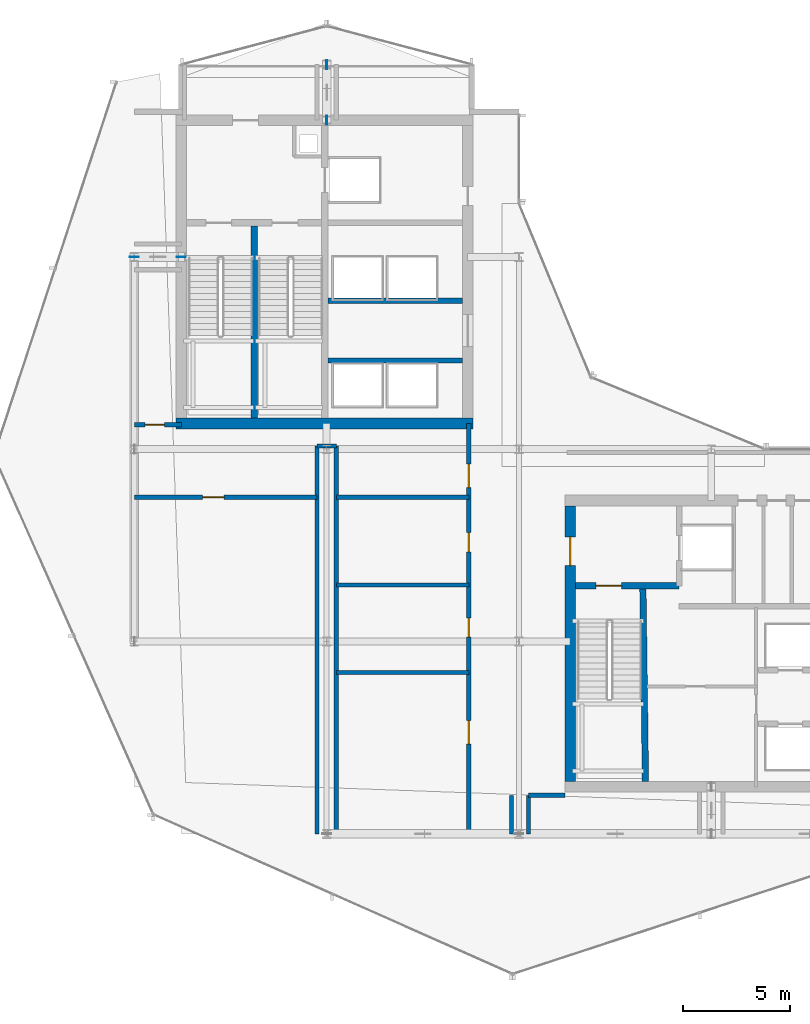
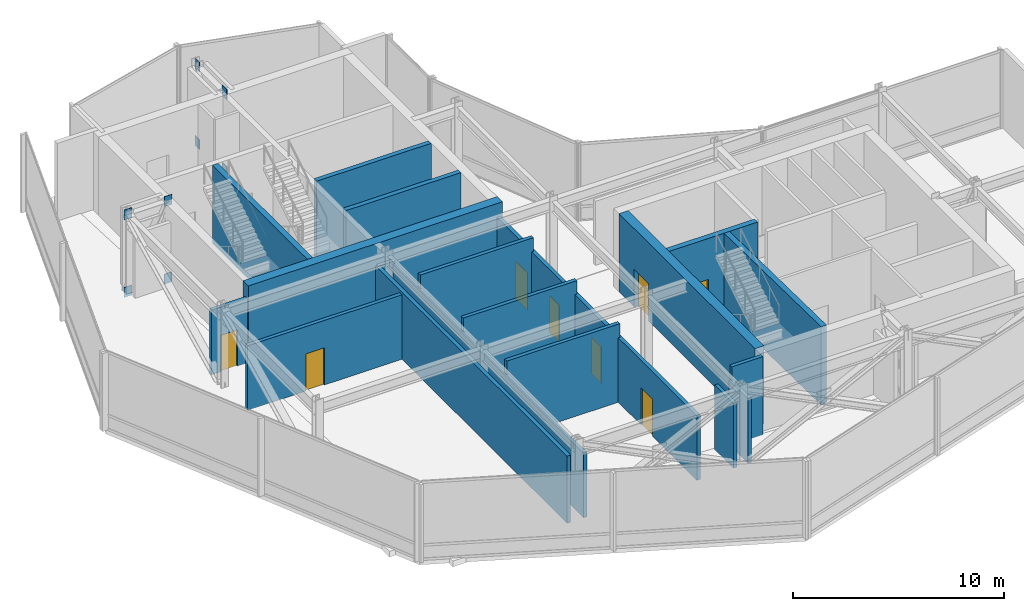
# One storey, part 22 of 30: 19 walls, 8 doors, 8 plates, 8 openings.
"""IFC4 building model written with IfcOpenShell, lengths in metres."""

from ifc_helpers import new_model, si_unit, direction, frame, frame_2d, origin, origin_2d, place, context, subcontext, project, spatial, rectangle, extrude, material, layer, layer_set, type_object, element, fill, save


model = new_model("IFC4")

# Units and contexts
model_context = context("Model", 3, precision=1e-05, world=origin(), true_north=direction((0.0, 1.0)))
body_context = subcontext(model_context, "Body", "Model", "MODEL_VIEW")
ifc_project = project(units=[si_unit("LENGTHUNIT", "METRE"), si_unit("AREAUNIT", "SQUARE_METRE"), si_unit("VOLUMEUNIT", "CUBIC_METRE"), si_unit("PLANEANGLEUNIT", "RADIAN"), si_unit("MASSUNIT", "GRAM", prefix="KILO")], contexts=[model_context])

# Site, building, storey
site_placement = place(None, origin())
site = spatial("IfcSite", under=ifc_project, at=site_placement, CompositionType="ELEMENT")
building_placement = place(site_placement, origin())
building = spatial("IfcBuilding", under=site, at=building_placement, Name="Solvaryn Broadcast Tower", CompositionType="ELEMENT")
storey_placement = place(building_placement, frame((0.0, 0.0, 196.39990234375)))
storey = spatial("IfcBuildingStorey", under=building, at=storey_placement, Name="L49", CompositionType="ELEMENT", Elevation=196.39990234375)

# Plates
ifc_material_1 = material(Name="Steel ASTM A572 Grade 50", Category="steel")
ifc_layer_1 = layer(ifc_material_1, 0.031982421875)
ifc_layer_set_1 = layer_set([ifc_layer_1], Name="PL-ENDCAP-32")
plate_type = type_object("IfcPlateType", Name="PL-ENDCAP-32", PredefinedType="USERDEFINED", material=ifc_layer_set_1)
for number, where, z_axis, x_axis, name in (
    (1, (11.199951171875, 36.0, -0.27001953125), (0.0, 0.0, 1.0), (1.0, 0.0, 0.0), "L49 Outrigger X-Brace W Continuous Diagonal End Plate A"),
    (2, (9.0, 36.0, 4.2099609375), (0.0, 0.0, 1.0), (1.0, 0.0, 0.0), "L49 Outrigger X-Brace W Continuous Diagonal End Plate B"),
    (3, (11.199951171875, 36.0, 4.2099609375), (0.0, 0.0, 1.0), (1.0, 0.0, 0.0), "L49 Outrigger X-Brace W End Plate 2A"),
    (4, (9.0, 36.0, -0.27001953125), (0.0, 0.0, 1.0), (1.0, 0.0, 0.0), "L49 Outrigger X-Brace W End Plate 2B"),
):
    element("IfcPlate", number, at=place(storey_placement, frame(where, z_axis=z_axis, x_axis=x_axis)), inside=storey, type_object=plate_type, Name=name, ObjectType="FLANGE_PLATE", PredefinedType="USERDEFINED", context=body_context, shape_type="SweptSolid", body=[
        extrude(rectangle(XDim=0.419921875, YDim=0.031982421875, at=origin_2d()), origin(), (0.0, 0.0, 1.0), 0.580078125),
    ])
for number, where, z_axis, x_axis, name in (
    (5, (18.0, 42.39990234375, -0.27001953125), (0.0, 0.0, 1.0), (1.0, 0.0, 0.0), "L49 Outrigger X-Brace N Continuous Diagonal End Plate A"),
    (6, (18.0, 45.0, 4.2099609375), (0.0, 0.0, 1.0), (1.0, 0.0, 0.0), "L49 Outrigger X-Brace N Continuous Diagonal End Plate B"),
    (7, (18.0, 42.39990234375, 4.2099609375), (0.0, 0.0, 1.0), (1.0, 0.0, 0.0), "L49 Outrigger X-Brace N End Plate 2A"),
    (8, (18.0, 45.0, -0.27001953125), (0.0, 0.0, 1.0), (1.0, 0.0, 0.0), "L49 Outrigger X-Brace N End Plate 2B"),
):
    element("IfcPlate", number, at=place(storey_placement, frame(where, z_axis=z_axis, x_axis=x_axis)), inside=storey, type_object=plate_type, Name=name, ObjectType="FLANGE_PLATE", PredefinedType="USERDEFINED", context=body_context, shape_type="SweptSolid", body=[
        extrude(rectangle(XDim=0.031982421875, YDim=0.419921875, at=origin_2d()), origin(), (0.0, 0.0, 1.0), 0.580078125),
    ])

# Wall
ifc_material_2 = material(Name="Concrete f'c 70 MPa", Category="concrete")
ifc_layer_2 = layer(ifc_material_2, 0.5)
ifc_layer_set_2 = layer_set([ifc_layer_2], Name="CW-SHEAR-500")
wall_type_1 = type_object("IfcWallType", Name="CW-SHEAR-500", PredefinedType="SHEAR", material=ifc_layer_set_2)
wall_1_placement = place(storey_placement, frame((10.949951171875, 28.199951171875, 0.0), z_axis=(0.0, 0.0, 1.0), x_axis=(1.0, 0.0, 0.0)))
element("IfcWall", 9, at=wall_1_placement, inside=storey, type_object=wall_type_1, Name="L49 West Core South Shear Wall", PredefinedType="SHEAR", context=body_context, shape_type="SweptSolid", body=[
    extrude(rectangle(XDim=13.900146484375, YDim=0.5, at=frame_2d((6.9501953125, 0.0))), origin(), (0.0, 0.0, 1.0), 4.52001953125),
])

# Wall, opening, door
wall_2_placement = place(storey_placement, frame((29.39990234375, 24.35009765625, 0.0), z_axis=(0.0, 0.0, 1.0), x_axis=(0.0, -1.0, 0.0)))
wall_2 = element("IfcWall", 10, at=wall_2_placement, inside=storey, type_object=wall_type_1, Name="L49 East Core West Shear Wall", PredefinedType="SHEAR", context=body_context, shape_type="SweptSolid", body=[
    extrude(rectangle(XDim=12.900146484375, YDim=0.5, at=frame_2d((6.4501953125, 0.0))), origin(), (0.0, 0.0, 1.0), 4.52001953125),
])
opening_1_placement = place(wall_2_placement, frame((1.449951171875, 0.0, 0.0)))
opening_1 = element("IfcOpeningElement", 11, at=opening_1_placement, cuts=wall_2, Name="Opening FD90B", PredefinedType="OPENING", context=body_context, shape_type="SweptSolid", body=[
    extrude(rectangle(XDim=1.35009765625, YDim=2.14990234375, at=frame_2d((0.675048828125, 1.074951171875))), frame((0.0, 0.260009765625, 0.0), z_axis=(0.0, -1.0, 0.0), x_axis=(1.0, 0.0, 0.0)), (0.0, 0.0, 1.0), 0.52001953125),
])
ifc_material_3 = material(Name="Flush Acoustic Steel and Timber Door Assembly", Category="steel")
door_type_1 = type_object("IfcDoorType", Name="FD90-LOBBY-1350X2150", OperationType="NOTDEFINED", PredefinedType="DOOR", material=ifc_material_3)
door_1_placement = place(opening_1_placement, origin())
door_1 = element("IfcDoor", 12, at=door_1_placement, inside=storey, type_object=door_type_1, Name="L49 East FSAE Lobby Door", OperationType="SINGLE_SWING_RIGHT", OverallHeight=2.14990234375, OverallWidth=1.35009765625, PredefinedType="DOOR", context=body_context, shape_type="SweptSolid", body=[
    extrude(rectangle(XDim=1.35009765625, YDim=2.14990234375, at=frame_2d((0.675048828125, 1.074951171875))), frame((0.0, 0.02490234375, 0.0), z_axis=(0.0, -1.0, 0.0), x_axis=(1.0, 0.0, 0.0)), (0.0, 0.0, 1.0), 0.050048828125),
])
fill(opening_1, door_1)

# Wall, openings, doors
ifc_material_4 = material(Name="Gypsum Fire-Rated Shaftwall Assembly", Category="concrete")
ifc_layer_3 = layer(ifc_material_4, 0.199951171875)
ifc_layer_set_3 = layer_set([ifc_layer_3], Name="IW-RATED-200")
wall_type_2 = type_object("IfcWallType", Name="IW-RATED-200", PredefinedType="PARTITIONING", material=ifc_layer_set_3)
wall_3_placement = place(storey_placement, frame((24.64990234375, 9.0, 0.0), z_axis=(0.0, 0.0, 1.0), x_axis=(0.0, 1.0, 0.0)))
wall_3 = element("IfcWall", 13, at=wall_3_placement, inside=storey, type_object=wall_type_2, Name="L49 Interior Partition IW-L49-MW1", PredefinedType="PARTITIONING", context=body_context, shape_type="SweptSolid", body=[
    extrude(rectangle(XDim=19.199951171875, YDim=0.199951171875, at=frame_2d((9.60009765625, 0.0))), origin(), (0.0, 0.0, 1.0), 3.734130859375),
])
opening_2_placement = place(wall_3_placement, frame((4.199951171875, 0.0, 0.0)))
opening_2 = element("IfcOpeningElement", 14, at=opening_2_placement, cuts=wall_3, Name="Opening FD90C", PredefinedType="OPENING", context=body_context, shape_type="SweptSolid", body=[
    extrude(rectangle(XDim=1.10009765625, YDim=2.14990234375, at=frame_2d((0.550048828125, 1.074951171875))), frame((0.0, 0.110107421875, 0.0), z_axis=(0.0, -1.0, 0.0), x_axis=(1.0, 0.0, 0.0)), (0.0, 0.0, 1.0), 0.219970703125),
])
opening_3_placement = place(wall_3_placement, frame((16.199951171875, 0.0, 0.0)))
opening_3 = element("IfcOpeningElement", 15, at=opening_3_placement, cuts=wall_3, Name="Opening FD90C", PredefinedType="OPENING", context=body_context, shape_type="SweptSolid", body=[
    extrude(rectangle(XDim=1.10009765625, YDim=2.14990234375, at=frame_2d((0.550048828125, 1.074951171875))), frame((0.0, 0.110107421875, 0.0), z_axis=(0.0, -1.0, 0.0), x_axis=(1.0, 0.0, 0.0)), (0.0, 0.0, 1.0), 0.219970703125),
])
opening_4_placement = place(wall_3_placement, frame((9.199951171875, 0.0, 0.0)))
opening_4 = element("IfcOpeningElement", 16, at=opening_4_placement, cuts=wall_3, Name="Opening FD60C", PredefinedType="OPENING", context=body_context, shape_type="SweptSolid", body=[
    extrude(rectangle(XDim=0.89990234375, YDim=2.10009765625, at=frame_2d((0.449951171875, 1.050048828125))), frame((0.0, 0.110107421875, 0.0), z_axis=(0.0, -1.0, 0.0), x_axis=(1.0, 0.0, 0.0)), (0.0, 0.0, 1.0), 0.219970703125),
])
opening_5_placement = place(wall_3_placement, frame((13.199951171875, 0.0, 0.0)))
opening_5 = element("IfcOpeningElement", 17, at=opening_5_placement, cuts=wall_3, Name="Opening FD60C", PredefinedType="OPENING", context=body_context, shape_type="SweptSolid", body=[
    extrude(rectangle(XDim=0.89990234375, YDim=2.10009765625, at=frame_2d((0.449951171875, 1.050048828125))), frame((0.0, 0.110107421875, 0.0), z_axis=(0.0, -1.0, 0.0), x_axis=(1.0, 0.0, 0.0)), (0.0, 0.0, 1.0), 0.219970703125),
])
ifc_material_5 = material(Name="Flush Acoustic Steel and Timber Door Assembly", Category="steel")
door_type_2 = type_object("IfcDoorType", Name="FD60-SERV-900X2100", OperationType="NOTDEFINED", PredefinedType="DOOR", material=ifc_material_5)
door_2_placement = place(opening_4_placement, origin())
door_2 = element("IfcDoor", 18, at=door_2_placement, inside=storey, type_object=door_type_2, Name="L49 Door DR-L49-MD3A", OperationType="SINGLE_SWING_RIGHT", OverallHeight=2.10009765625, OverallWidth=0.89990234375, PredefinedType="DOOR", context=body_context, shape_type="SweptSolid", body=[
    extrude(rectangle(XDim=0.89990234375, YDim=2.10009765625, at=frame_2d((0.449951171875, 1.050048828125))), frame((0.0, 0.02490234375, 0.0), z_axis=(0.0, -1.0, 0.0), x_axis=(1.0, 0.0, 0.0)), (0.0, 0.0, 1.0), 0.050048828125),
])
fill(opening_4, door_2)
door_3_placement = place(opening_5_placement, origin())
door_3 = element("IfcDoor", 19, at=door_3_placement, inside=storey, type_object=door_type_2, Name="L49 Door DR-L49-MD3B", OperationType="SINGLE_SWING_LEFT", OverallHeight=2.10009765625, OverallWidth=0.89990234375, PredefinedType="DOOR", context=body_context, shape_type="SweptSolid", body=[
    extrude(rectangle(XDim=0.89990234375, YDim=2.10009765625, at=frame_2d((0.449951171875, 1.050048828125))), frame((0.0, 0.02490234375, 0.0), z_axis=(0.0, -1.0, 0.0), x_axis=(1.0, 0.0, 0.0)), (0.0, 0.0, 1.0), 0.050048828125),
])
fill(opening_5, door_3)
ifc_material_6 = material(Name="Flush Acoustic Steel and Timber Door Assembly", Category="steel")
door_type_3 = type_object("IfcDoorType", Name="FD90-PLANT-1100X2150", OperationType="NOTDEFINED", PredefinedType="DOOR", material=ifc_material_6)
door_4_placement = place(opening_2_placement, origin())
door_4 = element("IfcDoor", 20, at=door_4_placement, inside=storey, type_object=door_type_3, Name="L49 Door DR-L49-MD1", OperationType="SINGLE_SWING_RIGHT", OverallHeight=2.14990234375, OverallWidth=1.10009765625, PredefinedType="DOOR", context=body_context, shape_type="SweptSolid", body=[
    extrude(rectangle(XDim=1.10009765625, YDim=2.14990234375, at=frame_2d((0.550048828125, 1.074951171875))), frame((0.0, 0.02490234375, 0.0), z_axis=(0.0, -1.0, 0.0), x_axis=(1.0, 0.0, 0.0)), (0.0, 0.0, 1.0), 0.050048828125),
])
fill(opening_2, door_4)
door_5_placement = place(opening_3_placement, origin())
door_5 = element("IfcDoor", 21, at=door_5_placement, inside=storey, type_object=door_type_3, Name="L49 Door DR-L49-MD2", OperationType="SINGLE_SWING_RIGHT", OverallHeight=2.14990234375, OverallWidth=1.10009765625, PredefinedType="DOOR", context=body_context, shape_type="SweptSolid", body=[
    extrude(rectangle(XDim=1.10009765625, YDim=2.14990234375, at=frame_2d((0.550048828125, 1.074951171875))), frame((0.0, 0.02490234375, 0.0), z_axis=(0.0, -1.0, 0.0), x_axis=(1.0, 0.0, 0.0)), (0.0, 0.0, 1.0), 0.050048828125),
])
fill(opening_3, door_5)

# Walls
wall_4_placement = place(storey_placement, frame((17.550048828125, 9.0, 0.0), z_axis=(0.0, 0.0, 1.0), x_axis=(0.0, 1.0, 0.0)))
element("IfcWall", 22, at=wall_4_placement, inside=storey, type_object=wall_type_2, Name="L49 Interior Partition IW-L49-MW1A", PredefinedType="PARTITIONING", context=body_context, shape_type="SweptSolid", body=[
    extrude(rectangle(XDim=18.14990234375, YDim=0.199951171875, at=frame_2d((9.074951171875, 0.0))), origin(), (0.0, 0.0, 1.0), 3.88916015625),
])
wall_5_placement = place(storey_placement, frame((18.449951171875, 9.0, 0.0), z_axis=(0.0, 0.0, 1.0), x_axis=(0.0, 1.0, 0.0)))
element("IfcWall", 23, at=wall_5_placement, inside=storey, type_object=wall_type_2, Name="L49 Interior Partition IW-L49-MW1B", PredefinedType="PARTITIONING", context=body_context, shape_type="SweptSolid", body=[
    extrude(rectangle(XDim=18.14990234375, YDim=0.199951171875, at=frame_2d((9.074951171875, 0.0))), origin(), (0.0, 0.0, 1.0), 3.734130859375),
])
wall_6_placement = place(storey_placement, frame((17.550048828125, 27.14990234375, 0.0), z_axis=(0.0, 0.0, 1.0), x_axis=(1.0, 0.0, 0.0)))
element("IfcWall", 24, at=wall_6_placement, inside=storey, type_object=wall_type_2, Name="L49 Interior Partition IW-L49-MW1N", PredefinedType="PARTITIONING", context=body_context, shape_type="SweptSolid", body=[
    extrude(rectangle(XDim=0.89990234375, YDim=0.199951171875, at=frame_2d((0.449951171875, 0.0))), origin(), (0.0, 0.0, 1.0), 3.88916015625),
])

# Wall, opening, door
wall_7_placement = place(storey_placement, frame((9.0, 24.75, 0.0), z_axis=(0.0, 0.0, 1.0), x_axis=(1.0, 0.0, 0.0)))
wall_7 = element("IfcWall", 25, at=wall_7_placement, inside=storey, type_object=wall_type_2, Name="L49 Interior Partition IW-L49-MW2A", PredefinedType="PARTITIONING", context=body_context, shape_type="SweptSolid", body=[
    extrude(rectangle(XDim=8.550048828125, YDim=0.199951171875, at=frame_2d((4.27490234375, 0.0))), origin(), (0.0, 0.0, 1.0), 3.734130859375),
])
opening_6_placement = place(wall_7_placement, frame((3.199951171875, 0.0, 0.0)))
opening_6 = element("IfcOpeningElement", 26, at=opening_6_placement, cuts=wall_7, Name="Opening FD90D", PredefinedType="OPENING", context=body_context, shape_type="SweptSolid", body=[
    extrude(rectangle(XDim=1.0, YDim=2.14990234375, at=frame_2d((0.5, 1.074951171875))), frame((0.0, 0.110107421875, 0.0), z_axis=(0.0, -1.0, 0.0), x_axis=(1.0, 0.0, 0.0)), (0.0, 0.0, 1.0), 0.219970703125),
])
ifc_material_7 = material(Name="Flush Acoustic Steel and Timber Door Assembly", Category="steel")
door_type_4 = type_object("IfcDoorType", Name="FD90-FCC-1000X2150", OperationType="NOTDEFINED", PredefinedType="DOOR", material=ifc_material_7)
door_6_placement = place(opening_6_placement, origin())
door_6 = element("IfcDoor", 27, at=door_6_placement, inside=storey, type_object=door_type_4, Name="L49 Door DR-L49-MD1A", OperationType="SINGLE_SWING_LEFT", OverallHeight=2.14990234375, OverallWidth=1.0, PredefinedType="DOOR", context=body_context, shape_type="SweptSolid", body=[
    extrude(rectangle(XDim=1.0, YDim=2.14990234375, at=frame_2d((0.5, 1.074951171875))), frame((0.0, 0.02490234375, 0.0), z_axis=(0.0, -1.0, 0.0), x_axis=(1.0, 0.0, 0.0)), (0.0, 0.0, 1.0), 0.050048828125),
])
fill(opening_6, door_6)

# Walls
for number, where, z_axis, x_axis, name in (
    (28, (18.449951171875, 24.75, 0.0), (0.0, 0.0, 1.0), (1.0, 0.0, 0.0), "L49 Interior Partition IW-L49-MW2B"),
    (29, (18.449951171875, 16.550048828125, 0.0), (0.0, 0.0, 1.0), (1.0, 0.0, 0.0), "L49 Interior Partition IW-L49-MW2C"),
    (30, (18.449951171875, 20.64990234375, 0.0), (0.0, 0.0, 1.0), (1.0, 0.0, 0.0), "L49 Interior Partition IW-L49-MW2D"),
):
    element("IfcWall", number, at=place(storey_placement, frame(where, z_axis=z_axis, x_axis=x_axis)), inside=storey, type_object=wall_type_2, Name=name, PredefinedType="PARTITIONING", context=body_context, shape_type="SweptSolid", body=[
        extrude(rectangle(XDim=6.199951171875, YDim=0.199951171875, at=frame_2d((3.10009765625, 0.0))), origin(), (0.0, 0.0, 1.0), 4.52001953125),
    ])

# Wall, opening, door
wall_8_placement = place(storey_placement, frame((9.0, 28.14990234375, 0.0), z_axis=(0.0, 0.0, 1.0), x_axis=(1.0, 0.0, 0.0)))
wall_8 = element("IfcWall", 31, at=wall_8_placement, inside=storey, type_object=wall_type_2, Name="L49 Interior Partition IW-L49-MW3", PredefinedType="PARTITIONING", context=body_context, shape_type="SweptSolid", body=[
    extrude(rectangle(XDim=2.199951171875, YDim=0.199951171875, at=frame_2d((1.10009765625, 0.0))), origin(), (0.0, 0.0, 1.0), 3.734130859375),
])
opening_7_placement = place(wall_8_placement, frame((0.5, 0.0, 0.0)))
opening_7 = element("IfcOpeningElement", 32, at=opening_7_placement, cuts=wall_8, Name="Opening FD60C", PredefinedType="OPENING", context=body_context, shape_type="SweptSolid", body=[
    extrude(rectangle(XDim=0.89990234375, YDim=2.10009765625, at=frame_2d((0.449951171875, 1.050048828125))), frame((0.0, 0.110107421875, 0.0), z_axis=(0.0, -1.0, 0.0), x_axis=(1.0, 0.0, 0.0)), (0.0, 0.0, 1.0), 0.219970703125),
])
door_7_placement = place(opening_7_placement, origin())
door_7 = element("IfcDoor", 33, at=door_7_placement, inside=storey, type_object=door_type_2, Name="L49 Door DR-L49-MD2A", OperationType="SINGLE_SWING_LEFT", OverallHeight=2.10009765625, OverallWidth=0.89990234375, PredefinedType="DOOR", context=body_context, shape_type="SweptSolid", body=[
    extrude(rectangle(XDim=0.89990234375, YDim=2.10009765625, at=frame_2d((0.449951171875, 1.050048828125))), frame((0.0, 0.02490234375, 0.0), z_axis=(0.0, -1.0, 0.0), x_axis=(1.0, 0.0, 0.0)), (0.0, 0.0, 1.0), 0.050048828125),
])
fill(opening_7, door_7)

# Walls
wall_9_placement = place(storey_placement, frame((27.449951171875, 10.800048828125, 0.0), z_axis=(0.0, 0.0, 1.0), x_axis=(1.0, 0.0, 0.0)))
element("IfcWall", 34, at=wall_9_placement, inside=storey, type_object=wall_type_2, Name="L49 Interior Partition IW-L49-MW4A", PredefinedType="PARTITIONING", context=body_context, shape_type="SweptSolid", body=[
    extrude(rectangle(XDim=1.699951171875, YDim=0.199951171875, at=frame_2d((0.85009765625, 0.0))), origin(), (0.0, 0.0, 1.0), 4.52001953125),
])
for number, where, z_axis, x_axis, name in (
    (35, (26.64990234375, 9.0, 0.0), (0.0, 0.0, 1.0), (0.0, 1.0, 0.0), "L49 Interior Partition IW-L49-MW5W"),
    (36, (27.449951171875, 9.0, 0.0), (0.0, 0.0, 1.0), (0.0, 1.0, 0.0), "L49 Interior Partition IW-L49-MW5E"),
):
    element("IfcWall", number, at=place(storey_placement, frame(where, z_axis=z_axis, x_axis=x_axis)), inside=storey, type_object=wall_type_2, Name=name, PredefinedType="PARTITIONING", context=body_context, shape_type="SweptSolid", body=[
        extrude(rectangle(XDim=1.800048828125, YDim=0.199951171875, at=frame_2d((0.89990234375, 0.0))), origin(), (0.0, 0.0, 1.0), 3.734130859375),
    ])
ifc_material_8 = material(Name="Concrete f'c 60 MPa", Category="concrete")
ifc_layer_4 = layer(ifc_material_8, 0.25)
ifc_layer_set_4 = layer_set([ifc_layer_4], Name="SW-SHAFT-250")
wall_type_3 = type_object("IfcWallType", Name="SW-SHAFT-250", PredefinedType="PARTITIONING", material=ifc_layer_set_4)
for number, where, z_axis, x_axis, name in (
    (37, (18.070068359375, 31.14990234375, 0.0), (0.0, 0.0, 1.0), (1.0, 0.0, 0.0), "L49 High-Rise Lift Bank South Wall"),
    (38, (24.35009765625, 33.949951171875, 0.0), (0.0, 0.0, 1.0), (-1.0, 0.0, 0.0), "L49 High-Rise Lift Bank North Wall"),
):
    element("IfcWall", number, at=place(storey_placement, frame(where, z_axis=z_axis, x_axis=x_axis)), inside=storey, type_object=wall_type_3, Name=name, PredefinedType="PARTITIONING", context=body_context, shape_type="SweptSolid", body=[
        extrude(rectangle(XDim=6.280029296875, YDim=0.25, at=frame_2d((3.14013671875, 0.0))), origin(), (0.0, 0.0, 1.0), 4.52001953125),
    ])
ifc_material_9 = material(Name="Concrete f'c 70 MPa", Category="concrete")
ifc_layer_5 = layer(ifc_material_9, 0.300048828125)
ifc_layer_set_5 = layer_set([ifc_layer_5], Name="SW-SHAFT-300")
wall_type_4 = type_object("IfcWallType", Name="SW-SHAFT-300", PredefinedType="SHEAR", material=ifc_layer_set_5)
wall_10_placement = place(storey_placement, frame((14.6201171875, 28.449951171875, 0.0), z_axis=(0.0, 0.0, 1.0), x_axis=(0.0, 1.0, 0.0)))
element("IfcWall", 39, at=wall_10_placement, inside=storey, type_object=wall_type_4, Name="L49 Stair 1-2 Dividing Wall", PredefinedType="SHEAR", context=body_context, shape_type="SweptSolid", body=[
    extrude(rectangle(XDim=9.0, YDim=0.300048828125, at=frame_2d((4.5, 0.0))), origin(), (0.0, 0.0, 1.0), 4.52001953125),
])
wall_11_placement = place(storey_placement, frame((32.919921875, 11.449951171875, 0.0), z_axis=(0.0, 0.0, 1.0), x_axis=(-0.013171578211, 0.999913251001, 0.0)))
element("IfcWall", 40, at=wall_11_placement, inside=storey, type_object=wall_type_4, Name="L49 Stair 3 East Shear Wall", PredefinedType="SHEAR", context=body_context, shape_type="SweptSolid", body=[
    extrude(rectangle(XDim=9.100830078125, YDim=0.300048828125, at=frame_2d((4.55029296875, 0.0))), origin(), (0.0, 0.0, 1.0), 4.52001953125),
])

# Wall, opening, door
wall_12_placement = place(storey_placement, frame((34.5, 20.60009765625, 0.0), z_axis=(0.0, 0.0, 1.0), x_axis=(-1.0, 0.0, 0.0)))
wall_12 = element("IfcWall", 41, at=wall_12_placement, inside=storey, type_object=wall_type_4, Name="L49 East FSAE Lobby South Wall", PredefinedType="SHEAR", context=body_context, shape_type="SweptSolid", body=[
    extrude(rectangle(XDim=4.85009765625, YDim=0.300048828125, at=frame_2d((2.425048828125, 0.0))), origin(), (0.0, 0.0, 1.0), 4.52001953125),
])
opening_8_placement = place(wall_12_placement, frame((2.699951171875, 0.0, 0.0)))
opening_8 = element("IfcOpeningElement", 42, at=opening_8_placement, cuts=wall_12, Name="Opening FD90A", PredefinedType="OPENING", context=body_context, shape_type="SweptSolid", body=[
    extrude(rectangle(XDim=1.199951171875, YDim=2.14990234375, at=frame_2d((0.60009765625, 1.074951171875))), frame((0.0, 0.159912109375, 0.0), z_axis=(0.0, -1.0, 0.0), x_axis=(1.0, 0.0, 0.0)), (0.0, 0.0, 1.0), 0.320068359375),
])
ifc_material_10 = material(Name="Flush Acoustic Steel and Timber Door Assembly", Category="steel")
door_type_5 = type_object("IfcDoorType", Name="FD90-STAIR-1200X2150", OperationType="NOTDEFINED", PredefinedType="DOOR", material=ifc_material_10)
door_8_placement = place(opening_8_placement, origin())
door_8 = element("IfcDoor", 43, at=door_8_placement, inside=storey, type_object=door_type_5, Name="L49 Stair 3 Fire Door", OperationType="SINGLE_SWING_LEFT", OverallHeight=2.14990234375, OverallWidth=1.199951171875, PredefinedType="DOOR", context=body_context, shape_type="SweptSolid", body=[
    extrude(rectangle(XDim=1.199951171875, YDim=2.14990234375, at=frame_2d((0.60009765625, 1.074951171875))), frame((0.0, 0.02490234375, 0.0), z_axis=(0.0, -1.0, 0.0), x_axis=(1.0, 0.0, 0.0)), (0.0, 0.0, 1.0), 0.050048828125),
])
fill(opening_8, door_8)

save(model, "model.ifc")
